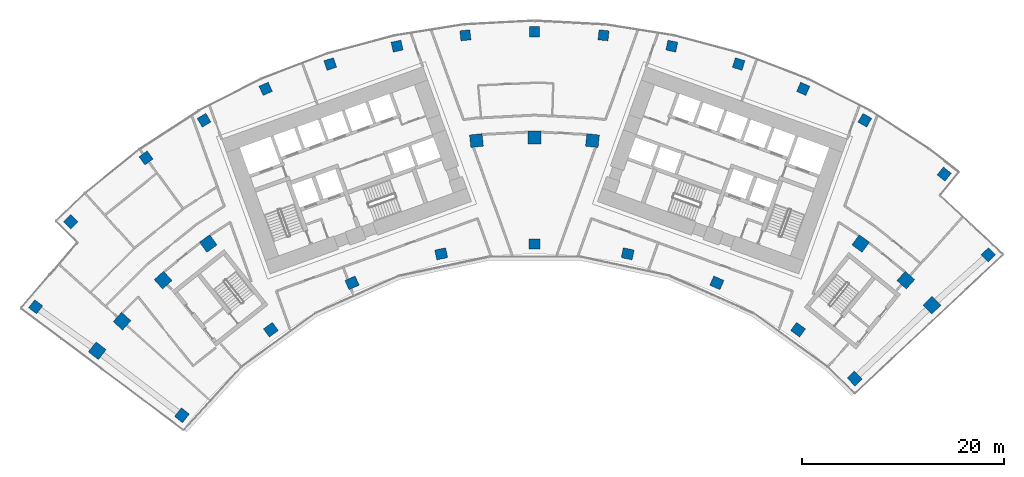
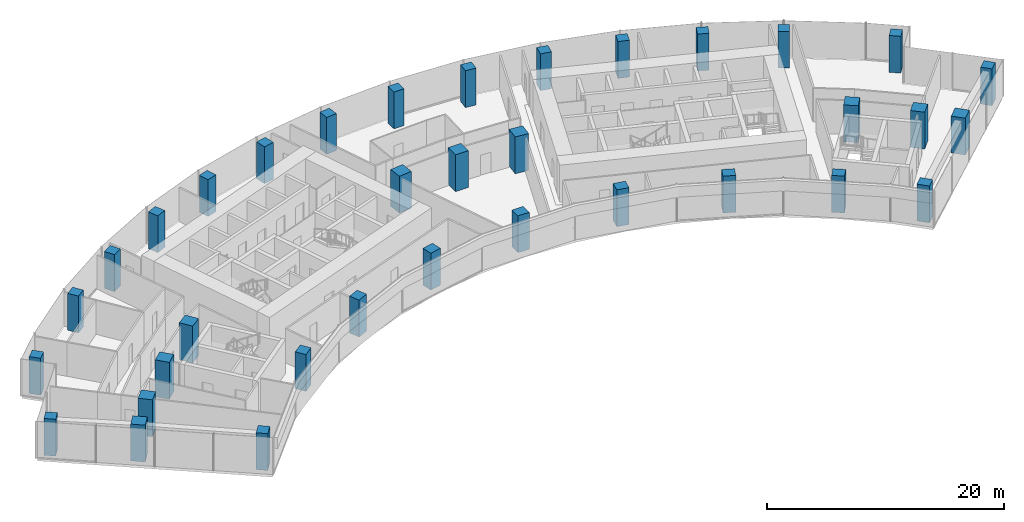
# One storey, part 1 of 20: 35 columns.
"""IFC4 building model written with IfcOpenShell, lengths in metres."""

import ifcopenshell
import ifcopenshell.guid

model = None  # the IFC model being written
_history = None  # IfcOwnerHistory: only IFC2X3 demands one
_inside = {}  # id of a spatial element -> (the spatial element, [elements in it])
_under = {}  # id of a project, library or spatial element -> (it, [spatial elements below it])
_declared = {}  # id of a project -> (the project, [libraries it declares])
_typed = {}  # id of a type object -> (the type object, [elements of that type])
_made_of = {}  # id of a material, layer set ... -> (it, [elements and type objects made of it])


def new_model(schema):
    """Start an empty IFC model of exactly this schema.

    Asked for "IFC4X3", IfcOpenShell would pick the latest addendum, in which some entities
    have other attributes; the version numbers below select the first issue.
    IFC2X3 requires an IfcOwnerHistory on every rooted entity: one is made here for all.
    """
    global model, _history
    if schema == "IFC4X3":
        model = ifcopenshell.file(schema_version=(4, 3, 0, 0))
    else:
        model = ifcopenshell.file(schema=schema)
    _inside.clear()
    _under.clear()
    _declared.clear()
    _typed.clear()
    _made_of.clear()
    _history = None
    if model.schema == "IFC2X3":
        org = make("IfcOrganization", Name="unknown")
        user = make(
            "IfcPersonAndOrganization",
            ThePerson=make("IfcPerson", FamilyName="unknown"),
            TheOrganization=org,
        )
        app = make(
            "IfcApplication",
            ApplicationDeveloper=org,
            Version="unknown",
            ApplicationFullName="unknown",
            ApplicationIdentifier="unknown",
        )
        _history = make(
            "IfcOwnerHistory",
            OwningUser=user,
            OwningApplication=app,
            ChangeAction="ADDED",
            CreationDate=0,
        )
    return model


def make(cls, **values):
    """One entity of the class cls with the attributes given. An attribute that is None is left unset."""
    return model.create_entity(
        cls, **{name: value for name, value in values.items() if value is not None}
    )


def rooted(cls, **values):
    """An entity with a GlobalId (a new one), such as an element, a storey or a relation."""
    return make(cls, GlobalId=ifcopenshell.guid.new(), OwnerHistory=_history, **values)


def si_unit(unit_type, name, prefix=None):
    """IfcSIUnit, for example si_unit("LENGTHUNIT", "METRE", prefix="MILLI")."""
    return make("IfcSIUnit", UnitType=unit_type, Prefix=prefix, Name=name)


def assignment(units):
    """IfcUnitAssignment: the units of a project."""
    return None if units is None else make("IfcUnitAssignment", Units=units)


def point(xyz):
    """IfcCartesianPoint."""
    return None if xyz is None else make("IfcCartesianPoint", Coordinates=xyz)


def direction(xyz):
    """IfcDirection."""
    return None if xyz is None else make("IfcDirection", DirectionRatios=xyz)


def frame(location, z_axis=None, x_axis=None):
    """IfcAxis2Placement3D, a coordinate frame: its origin and axes. An axis left out is left unset."""
    return make(
        "IfcAxis2Placement3D",
        Location=point(location),
        Axis=direction(z_axis),
        RefDirection=direction(x_axis),
    )


def frame_2d(location, x_axis=None):
    """IfcAxis2Placement2D, a coordinate frame in the plane: its origin and x axis."""
    return make(
        "IfcAxis2Placement2D", Location=point(location), RefDirection=direction(x_axis)
    )


def origin():
    """The frame at (0, 0, 0) with its axes left unset."""
    return frame((0.0, 0.0, 0.0))


def origin_2d():
    """The frame at (0, 0) in the plane with its x axis left unset."""
    return frame_2d((0.0, 0.0))


def place(relative_to, where):
    """IfcLocalPlacement: puts the frame where relative to a parent placement (None: the world)."""
    return make(
        "IfcLocalPlacement", PlacementRelTo=relative_to, RelativePlacement=where
    )


def context(
    kind, dimensions, precision=None, world=None, true_north=None, identifier=None
):
    """IfcGeometricRepresentationContext, for example the 3D "Model" context."""
    return make(
        "IfcGeometricRepresentationContext",
        ContextIdentifier=identifier,
        ContextType=kind,
        CoordinateSpaceDimension=dimensions,
        Precision=precision,
        WorldCoordinateSystem=world,
        TrueNorth=true_north,
    )


def subcontext(parent, identifier, kind, view, scale=None):
    """IfcGeometricRepresentationSubContext, for example "Body" below "Model"."""
    return make(
        "IfcGeometricRepresentationSubContext",
        ContextIdentifier=identifier,
        ContextType=kind,
        ParentContext=parent,
        TargetScale=scale,
        TargetView=view,
    )


def project(units=None, contexts=None):
    """IfcProject with its units and contexts."""
    return rooted(
        "IfcProject",
        Name="project",
        RepresentationContexts=contexts,
        UnitsInContext=assignment(units),
    )


def spatial(cls, under=None, at=None, **own):
    """A site, building, storey or space (cls), placed at a placement, below another one or the project."""
    s = rooted(cls, ObjectPlacement=at, **own)
    if under is not None:
        _under.setdefault(under.id(), (under, []))[1].append(s)
    return s


def profile(cls, at=None, kind="AREA", **sizes):
    """A parametric profile (cls). Its sizes go by their IFC names, for example OverallWidth=200.0."""
    return make(cls, ProfileType=kind, Position=at, **sizes)


def rectangle(**sizes):
    """IfcRectangleProfileDef."""
    return profile("IfcRectangleProfileDef", **sizes)


def extrude(swept, where, along, depth):
    """IfcExtrudedAreaSolid: the profile swept, set in the frame where, extruded along a direction by depth."""
    return make(
        "IfcExtrudedAreaSolid",
        SweptArea=swept,
        Position=where,
        ExtrudedDirection=direction(along),
        Depth=depth,
    )


def shape(context_of_items, identifier, shape_type, items):
    """IfcShapeRepresentation: the items that make up one representation, for example the "Body"."""
    return make(
        "IfcShapeRepresentation",
        ContextOfItems=context_of_items,
        RepresentationIdentifier=identifier,
        RepresentationType=shape_type,
        Items=items,
    )


def material(Name=None, Category=None):
    """IfcMaterial."""
    return make("IfcMaterial", Name=Name, Category=Category)


def material_profile(
    of_material, cross_section, Name=None, Category=None, Priority=None
):
    """IfcMaterialProfile: a cross section and its material."""
    return make(
        "IfcMaterialProfile",
        Name=Name,
        Material=of_material,
        Profile=cross_section,
        Priority=Priority,
        Category=Category,
    )


def profile_set(profiles, Name=None, composite=None):
    """IfcMaterialProfileSet."""
    return make(
        "IfcMaterialProfileSet",
        Name=Name,
        MaterialProfiles=profiles,
        CompositeProfile=composite,
    )


def made_of(thing, what):
    """Note that an element or type object is made of a material, layer set ...; save() writes the relation."""
    if what is not None:
        _made_of.setdefault(what.id(), (what, []))[1].append(thing)
    return thing


def type_object(cls, material=None, **own):
    """A type object (cls), such as IfcWallType, which elements share."""
    return made_of(rooted(cls, **own), material)


def element(
    cls,
    number,
    at=None,
    inside=None,
    cuts=None,
    type_object=None,
    material=None,
    context=None,
    identifier="Body",
    shape_type=None,
    held_by="IfcProductDefinitionShape",
    body=None,
    shapes=None,
    **own,
):
    """One element of the class cls, such as IfcWall. Its Tag is "e" and its number.

    at: its placement. inside: the storey or other place that contains it. cuts: it is an
    opening in that element (IfcRelVoidsElement). A single representation is given by context,
    identifier, shape_type and body (its items); several are given by shapes. held_by: the class
    of the entity that holds the representations. save() writes the other relations.
    """
    e = rooted(cls, Tag="e%d" % number, ObjectPlacement=at, **own)
    if body is not None:
        shapes = [shape(context, identifier, shape_type, body)]
    if shapes is not None:
        e.Representation = make(held_by, Representations=shapes)
    if inside is not None:
        _inside.setdefault(inside.id(), (inside, []))[1].append(e)
    if cuts is not None:
        rooted(
            "IfcRelVoidsElement", RelatingBuildingElement=cuts, RelatedOpeningElement=e
        )
    if type_object is not None:
        _typed.setdefault(type_object.id(), (type_object, []))[1].append(e)
    return made_of(e, material)


def aggregate(whole, parts):
    """IfcRelAggregates: a whole, such as a stair, and the parts it consists of."""
    return rooted("IfcRelAggregates", RelatingObject=whole, RelatedObjects=parts)


def save(model, path):
    """Write the relations noted so far, then the file.

    IfcRelAggregates (storeys below a building ...), IfcRelContainedInSpatialStructure (elements
    in a storey), IfcRelDefinesByType, IfcRelAssociatesMaterial and IfcRelDeclares: one each for
    every whole, place, type object, material and project.
    """
    for whole, parts in _under.values():
        aggregate(whole, parts)
    for where, things in _inside.values():
        rooted(
            "IfcRelContainedInSpatialStructure",
            RelatedElements=things,
            RelatingStructure=where,
        )
    for kind, things in _typed.values():
        rooted("IfcRelDefinesByType", RelatedObjects=things, RelatingType=kind)
    for what, things in _made_of.values():
        rooted("IfcRelAssociatesMaterial", RelatedObjects=things, RelatingMaterial=what)
    for by, libraries in _declared.values():
        rooted("IfcRelDeclares", RelatingContext=by, RelatedDefinitions=libraries)
    model.write(path)


model = new_model("IFC4")

# Units and contexts
model_context = context("Model", 3, precision=1e-05, world=origin(), true_north=direction((0.0, 1.0)))
body_context = subcontext(model_context, "Body", "Model", "MODEL_VIEW")
ifc_project = project(units=[si_unit("LENGTHUNIT", "METRE"), si_unit("AREAUNIT", "SQUARE_METRE"), si_unit("VOLUMEUNIT", "CUBIC_METRE"), si_unit("PLANEANGLEUNIT", "RADIAN"), si_unit("MASSUNIT", "GRAM", prefix="KILO")], contexts=[model_context])

# Site, building, storey
site_placement = place(None, origin())
site = spatial("IfcSite", under=ifc_project, at=site_placement, CompositionType="ELEMENT")
building_placement = place(site_placement, origin())
building = spatial("IfcBuilding", under=site, at=building_placement, Name="Stone Belt Terrace Tower", CompositionType="ELEMENT")
storey_placement = place(building_placement, frame((0.0, 0.0, 185.800048828125)))
storey = spatial("IfcBuildingStorey", under=building, at=storey_placement, Name="L45", CompositionType="ELEMENT", Elevation=185.800048828125)

# Columns
ifc_material = material(Name="Concrete B80", Category="concrete")
ifc_material_profile_1 = material_profile(ifc_material, rectangle(XDim=1.0, YDim=1.0, at=origin_2d()), Name="RC 1000x1000")
ifc_profile_set_1 = profile_set([ifc_material_profile_1], Name="Concrete B80")
column_type_1 = type_object("IfcColumnType", Name="Column RC 1000x1000 B80", PredefinedType="COLUMN", material=ifc_profile_set_1)
for number, where, z_axis, x_axis, name in (
    (1, (-49.432861328125, 38.226318359375, 0.0), (0.0, 0.0, 1.0), (0.611730019057, 0.791066611472, 0.0), "Column L45 RA"),
    (2, (44.97705078125, 43.381103515625, 0.0), (0.0, 0.0, 1.0), (0.694221333646, -0.719761585465, 0.0), "Column L45 RB"),
    (3, (-45.95849609375, 46.654296875, 0.0), (0.0, 0.0, 1.0), (0.712398494182, 0.701775167334, 0.0), "Column L45 RNA"),
    (4, (-38.493408203125, 52.981689453125, 0.0), (0.0, 0.0, 1.0), (0.809016994375, 0.587785252292, 0.0), "Column L45 R16"),
    (5, (-32.744384765625, 56.715087890625, 0.0), (0.0, 0.0, 1.0), (0.866025403784, 0.5, 0.0), "Column L45 R17"),
    (6, (-26.63671875, 59.8271484375, 0.0), (0.0, 0.0, 1.0), (0.913545457643, 0.406736643076, 0.0), "Column L45 R18"),
    (7, (-20.2373046875, 62.28369140625, 0.0), (0.0, 0.0, 1.0), (0.951056516295, 0.309016994375, 0.0), "Column L45 R19"),
    (8, (-13.615966796875, 64.057861328125, 0.0), (0.0, 0.0, 1.0), (0.978147600734, 0.207911690818, 0.0), "Column L45 R20"),
    (9, (-6.845458984375, 65.130126953125, 0.0), (0.0, 0.0, 1.0), (0.994521895368, 0.104528463268, 0.0), "Column L45 R21"),
    (10, (0.0, 65.489013671875, 0.0), (0.0, 0.0, 1.0), (1.0, 0.0, 0.0), "Column L45 R22"),
    (11, (6.845458984375, 65.130126953125, 0.0), (0.0, 0.0, 1.0), (0.994521895368, -0.104528463268, 0.0), "Column L45 R23"),
    (12, (13.615966796875, 64.057861328125, 0.0), (0.0, 0.0, 1.0), (0.978147600734, -0.207911690818, 0.0), "Column L45 R24"),
    (13, (20.2373046875, 62.28369140625, 0.0), (0.0, 0.0, 1.0), (0.951056516295, -0.309016994375, 0.0), "Column L45 R25"),
    (14, (26.63671875, 59.8271484375, 0.0), (0.0, 0.0, 1.0), (0.913545457643, -0.406736643076, 0.0), "Column L45 R26"),
    (15, (32.744384765625, 56.715087890625, 0.0), (0.0, 0.0, 1.0), (0.866025403784, -0.5, 0.0), "Column L45 R27"),
    (16, (40.605712890625, 51.380615234375, 0.0), (0.0, 0.0, 1.0), (0.784569718703, -0.620040608746, 0.0), "Column L45 RNB"),
):
    element("IfcColumn", number, at=place(storey_placement, frame(where, z_axis=z_axis, x_axis=x_axis)), inside=storey, type_object=column_type_1, Name=name, PredefinedType="COLUMN", context=body_context, shape_type="SweptSolid", body=[
        extrude(rectangle(XDim=1.0, YDim=1.0, at=origin_2d()), origin(), (0.0, 0.0, 1.0), 3.800048828125),
    ])
ifc_material_profile_2 = material_profile(ifc_material, rectangle(XDim=1.10009765625, YDim=1.0, at=origin_2d()), Name="RC 1100x1000")
ifc_profile_set_2 = profile_set([ifc_material_profile_2], Name="Concrete B80")
column_type_2 = type_object("IfcColumnType", Name="Column RC 1100x1000 B80", PredefinedType="COLUMN", material=ifc_profile_set_2)
for number, where, z_axis, x_axis, name in (
    (17, (-34.93408203125, 27.476806640625, 0.0), (0.0, 0.0, 1.0), (0.618217727677, 0.786006896399, 0.0), "Column L45 PA"),
    (18, (-26.1240234375, 35.956787109375, 0.0), (0.0, 0.0, 1.0), (0.809016994375, 0.587785252292, 0.0), "Column L45 P16"),
    (19, (-18.077392578125, 40.6025390625, 0.0), (0.0, 0.0, 1.0), (0.913545457643, 0.406736643076, 0.0), "Column L45 P18"),
    (20, (-9.240478515625, 43.473876953125, 0.0), (0.0, 0.0, 1.0), (0.978147600734, 0.207911690818, 0.0), "Column L45 P20"),
    (21, (0.0, 44.445068359375, 0.0), (0.0, 0.0, 1.0), (1.0, 0.0, 0.0), "Column L45 P22"),
    (22, (9.240478515625, 43.473876953125, 0.0), (0.0, 0.0, 1.0), (0.978147600734, -0.207911690818, 0.0), "Column L45 P24"),
    (23, (18.077392578125, 40.6025390625, 0.0), (0.0, 0.0, 1.0), (0.913545457643, -0.406736643076, 0.0), "Column L45 P26"),
    (24, (26.1240234375, 35.956787109375, 0.0), (0.0, 0.0, 1.0), (0.809016994375, -0.587785252292, 0.0), "Column L45 P28"),
    (25, (31.73486328125, 31.11669921875, 0.0), (0.0, 0.0, 1.0), (0.700119596097, -0.714025595592, 0.0), "Column L45 PB"),
):
    element("IfcColumn", number, at=place(storey_placement, frame(where, z_axis=z_axis, x_axis=x_axis)), inside=storey, type_object=column_type_2, Name=name, PredefinedType="COLUMN", context=body_context, shape_type="SweptSolid", body=[
        extrude(rectangle(XDim=1.10009765625, YDim=1.0, at=origin_2d()), origin(), (0.0, 0.0, 1.0), 3.800048828125),
    ])
ifc_material_profile_3 = material_profile(ifc_material, rectangle(XDim=1.25, YDim=1.25, at=origin_2d()), Name="RC 1250x1250")
ifc_profile_set_3 = profile_set([ifc_material_profile_3], Name="Concrete B80")
column_type_3 = type_object("IfcColumnType", Name="Column RC 1250x1250 B80", PredefinedType="COLUMN", material=ifc_profile_set_3)
for number, where, z_axis, x_axis, name in (
    (26, (-43.33349609375, 33.870361328125, 0.0), (0.0, 0.0, 1.0), (0.615825127294, 0.787882867306, 0.0), "Column L45 QA"),
    (27, (-40.873046875, 36.80224609375, 0.0), (0.0, 0.0, 1.0), (0.669130606359, 0.743144825477, 0.0), "Column L45 Q14"),
    (28, (-36.80224609375, 40.873046875, 0.0), (0.0, 0.0, 1.0), (0.743144825477, 0.669130606359, 0.0), "Column L45 Q15"),
    (29, (-32.328125, 44.495849609375, 0.0), (0.0, 0.0, 1.0), (0.809016994375, 0.587785252292, 0.0), "Column L45 Q16"),
    (30, (-5.7490234375, 54.69873046875, 0.0), (0.0, 0.0, 1.0), (0.994521895368, 0.104528463268, 0.0), "Column L45 Q21"),
    (31, (0.0, 55.0, 0.0), (0.0, 0.0, 1.0), (1.0, 0.0, 0.0), "Column L45 Q22"),
    (32, (5.7490234375, 54.69873046875, 0.0), (0.0, 0.0, 1.0), (0.994521895368, -0.104528463268, 0.0), "Column L45 Q23"),
    (33, (32.328125, 44.495849609375, 0.0), (0.0, 0.0, 1.0), (0.809016994375, -0.587785252292, 0.0), "Column L45 Q28"),
    (34, (36.80224609375, 40.873046875, 0.0), (0.0, 0.0, 1.0), (0.743144825477, -0.669130606359, 0.0), "Column L45 Q29"),
    (35, (39.38818359375, 38.386962890625, 0.0), (0.0, 0.0, 1.0), (0.697944216238, -0.716152128406, 0.0), "Column L45 QB"),
):
    element("IfcColumn", number, at=place(storey_placement, frame(where, z_axis=z_axis, x_axis=x_axis)), inside=storey, type_object=column_type_3, Name=name, PredefinedType="COLUMN", context=body_context, shape_type="SweptSolid", body=[
        extrude(rectangle(XDim=1.25, YDim=1.25, at=origin_2d()), origin(), (0.0, 0.0, 1.0), 3.800048828125),
    ])

save(model, "model.ifc")
